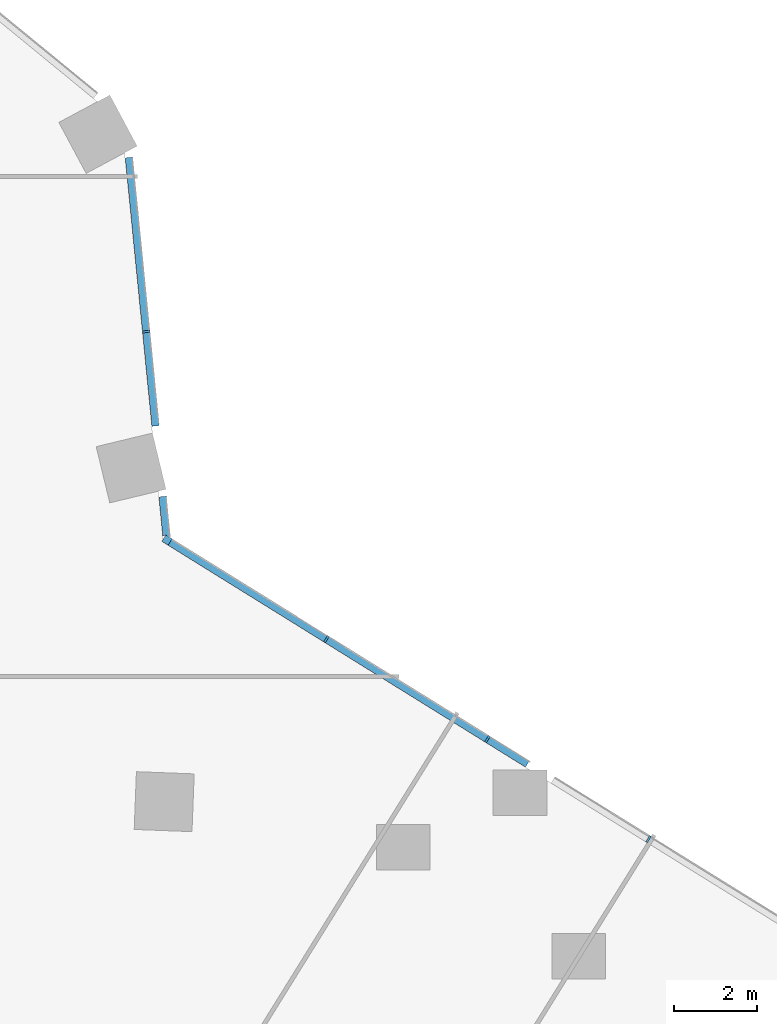
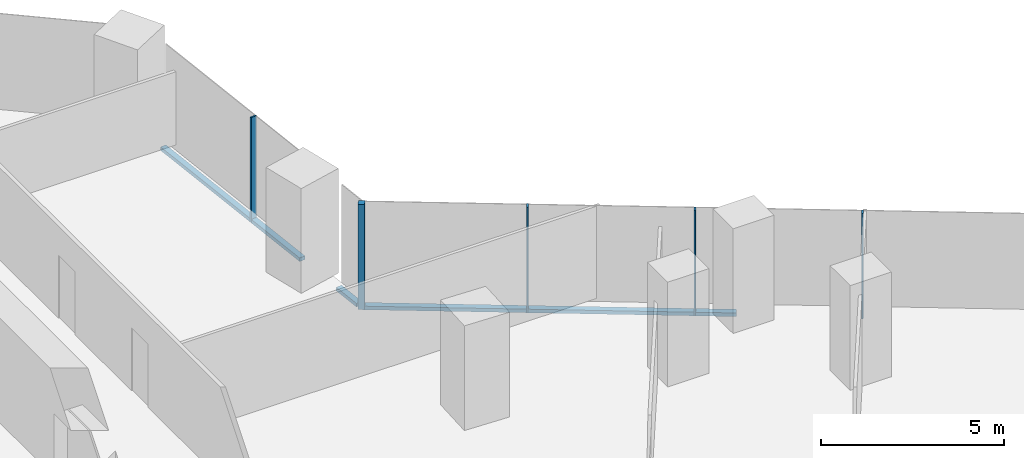
# One storey, part 10 of 33: 8 members, 2 elements without a shape of their own.
"""IFC4 building model written with IfcOpenShell, lengths in metres."""

from ifc_helpers import new_model, si_unit, direction, frame, origin, origin_2d, place, context, subcontext, project, spatial, rectangle, extrude, material, material_profile, profile_set, type_object, element, aggregate, save


model = new_model("IFC4")

# Units and contexts
model_context = context("Model", 3, precision=1e-05, world=origin(), true_north=direction((0.0, 1.0)))
body_context = subcontext(model_context, "Body", "Model", "MODEL_VIEW")
ifc_project = project(units=[si_unit("LENGTHUNIT", "METRE"), si_unit("AREAUNIT", "SQUARE_METRE"), si_unit("VOLUMEUNIT", "CUBIC_METRE"), si_unit("PLANEANGLEUNIT", "RADIAN"), si_unit("MASSUNIT", "GRAM", prefix="KILO")], contexts=[model_context])

# Site, building, storey
site_placement = place(None, origin())
site = spatial("IfcSite", under=ifc_project, at=site_placement, CompositionType="ELEMENT")
building_placement = place(site_placement, origin())
building = spatial("IfcBuilding", under=site, at=building_placement, Name="Orlundy Tower", CompositionType="ELEMENT")
storey_placement = place(building_placement, frame((0.0, 0.0, 51.300048828125)))
storey = spatial("IfcBuildingStorey", under=building, at=storey_placement, Name="L11", CompositionType="ELEMENT", Elevation=51.300048828125)

# Curtain wall, member
ifc_material_1 = material(Name="Aluminium bronze anodised", Category="aluminium")
curtain_wall_type = type_object("IfcCurtainWallType", Name="CW1 wall", PredefinedType="NOTDEFINED", material=ifc_material_1)
curtain_wall_1_placement = place(storey_placement, origin())
curtain_wall_1 = element("IfcCurtainWall", 1, at=curtain_wall_1_placement, inside=storey, type_object=curtain_wall_type, Name="CW1 run 06", PredefinedType="NOTDEFINED")
ifc_material_2 = material(Name="Aluminium bronze anodised", Category="aluminium")
ifc_material_profile_1 = material_profile(ifc_material_2, rectangle(XDim=0.179931640625, YDim=0.179931640625, at=origin_2d()), Name="CW1 corner post 180x180")
ifc_profile_set_1 = profile_set([ifc_material_profile_1], Name="Aluminium bronze anodised")
member_type_1 = type_object("IfcMemberType", Name="CW1 corner post 180x180", PredefinedType="MULLION", material=ifc_profile_set_1)
member_1_placement = place(storey_placement, frame((29.72216796875, 5.194091796875, -0.420166015625), z_axis=(0.0, 0.0, 1.0), x_axis=(0.527453271529, 0.849584043137, 0.0)))
member_1 = element("IfcMember", 2, at=member_1_placement, type_object=member_type_1, Name="CW1 mullion 26", PredefinedType="MULLION", context=body_context, shape_type="SweptSolid", body=[
    extrude(rectangle(XDim=0.179931640625, YDim=0.179931640625, at=origin_2d()), origin(), (0.0, 0.0, 1.0), 3.52001953125),
])

curtain_wall_2_placement = place(storey_placement, origin())
curtain_wall_2 = element("IfcCurtainWall", 3, at=curtain_wall_2_placement, inside=storey, type_object=curtain_wall_type, Name="CW1 run 05", PredefinedType="NOTDEFINED")
ifc_material_3 = material(Name="Aluminium bronze anodised", Category="aluminium")
ifc_material_profile_2 = material_profile(ifc_material_3, rectangle(XDim=0.179931640625, YDim=0.050048828125, at=origin_2d()), Name="CW1 mullion 50x180")
ifc_profile_set_2 = profile_set([ifc_material_profile_2], Name="Aluminium bronze anodised")
member_type_2 = type_object("IfcMemberType", Name="CW1 mullion 50x180", PredefinedType="MULLION", material=ifc_profile_set_2)
member_2_placement = place(storey_placement, frame((29.220947265625, 10.243408203125, -0.420166015625), z_axis=(0.0, 0.0, 1.0), x_axis=(0.995111383815, 0.098758968204, 0.0)))
member_2 = element("IfcMember", 4, at=member_2_placement, type_object=member_type_2, Name="CW1 mullion 25", PredefinedType="MULLION", context=body_context, shape_type="SweptSolid", body=[
    extrude(rectangle(XDim=0.179931640625, YDim=0.050048828125, at=origin_2d()), origin(), (0.0, 0.0, 1.0), 3.52001953125),
])

# Member
member_3_placement = place(storey_placement, frame((33.5830078125, 2.797119140625, -0.420166015625), z_axis=(0.0, 0.0, 1.0), x_axis=(0.527453271529, 0.849584043137, 0.0)))
member_3 = element("IfcMember", 5, at=member_3_placement, type_object=member_type_2, Name="CW1 mullion 27", PredefinedType="MULLION", context=body_context, shape_type="SweptSolid", body=[
    extrude(rectangle(XDim=0.179931640625, YDim=0.050048828125, at=origin_2d()), origin(), (0.0, 0.0, 1.0), 3.52001953125),
])

member_4_placement = place(storey_placement, frame((37.4814453125, 0.376708984375, -0.420166015625), z_axis=(0.0, 0.0, 1.0), x_axis=(0.527453271529, 0.849584043137, 0.0)))
member_4 = element("IfcMember", 6, at=member_4_placement, type_object=member_type_2, Name="CW1 mullion 28", PredefinedType="MULLION", context=body_context, shape_type="SweptSolid", body=[
    extrude(rectangle(XDim=0.179931640625, YDim=0.050048828125, at=origin_2d()), origin(), (0.0, 0.0, 1.0), 3.52001953125),
])

member_5_placement = place(storey_placement, frame((41.3798828125, -2.04345703125, -0.420166015625), z_axis=(0.0, 0.0, 1.0), x_axis=(0.527453271529, 0.849584043137, 0.0)))
member_5 = element("IfcMember", 7, at=member_5_placement, type_object=member_type_2, Name="CW1 mullion 29", PredefinedType="MULLION", context=body_context, shape_type="SweptSolid", body=[
    extrude(rectangle(XDim=0.179931640625, YDim=0.050048828125, at=origin_2d()), origin(), (0.0, 0.0, 1.0), 3.52001953125),
])

ifc_material_4 = material(Name="Aluminium bronze anodised", Category="aluminium")
ifc_material_profile_3 = material_profile(ifc_material_4, rectangle(XDim=0.179931640625, YDim=0.1201171875, at=origin_2d()), Name="CW1 transom 180x120")
ifc_profile_set_3 = profile_set([ifc_material_profile_3], Name="Aluminium bronze anodised")
member_type_3 = type_object("IfcMemberType", Name="CW1 transom 180x120", PredefinedType="USERDEFINED", material=ifc_profile_set_3)
member_6_placement = place(storey_placement, frame((28.802734375, 14.457763671875, -0.360107421875), z_axis=(0.098763452302, -0.995110938785, 0.0), x_axis=(0.995110938785, 0.098763452302, 0.0)))
member_6 = element("IfcMember", 8, at=member_6_placement, type_object=member_type_3, Name="CW1 transom", ObjectType="TRANSOM", PredefinedType="USERDEFINED", context=body_context, shape_type="SweptSolid", body=[
    extrude(rectangle(XDim=0.179931640625, YDim=0.1201171875, at=origin_2d()), origin(), (0.0, 0.0, 1.0), 6.531005859375),
])

member_7_placement = place(storey_placement, frame((29.6171875, 6.2509765625, -0.360107421875), z_axis=(0.098815776009, -0.995105744337, 0.0), x_axis=(0.995105744337, 0.098815776009, 0.0)))
member_7 = element("IfcMember", 9, at=member_7_placement, type_object=member_type_3, Name="CW1 transom", ObjectType="TRANSOM", PredefinedType="USERDEFINED", context=body_context, shape_type="SweptSolid", body=[
    extrude(rectangle(XDim=0.179931640625, YDim=0.1201171875, at=origin_2d()), origin(), (0.0, 0.0, 1.0), 0.94873046875),
])

aggregate(curtain_wall_2, [member_2, member_6, member_7])

member_8_placement = place(storey_placement, frame((29.798583984375, 5.146484375, -0.360107421875), z_axis=(0.849585332978, -0.527451193939, 0.0), x_axis=(0.527451193939, 0.849585332978, 0.0)))
member_8 = element("IfcMember", 10, at=member_8_placement, type_object=member_type_3, Name="CW1 transom", ObjectType="TRANSOM", PredefinedType="USERDEFINED", context=body_context, shape_type="SweptSolid", body=[
    extrude(rectangle(XDim=0.179931640625, YDim=0.1201171875, at=origin_2d()), origin(), (0.0, 0.0, 1.0), 10.18212890625),
])

aggregate(curtain_wall_1, [member_1, member_3, member_4, member_5, member_8])

save(model, "model.ifc")
